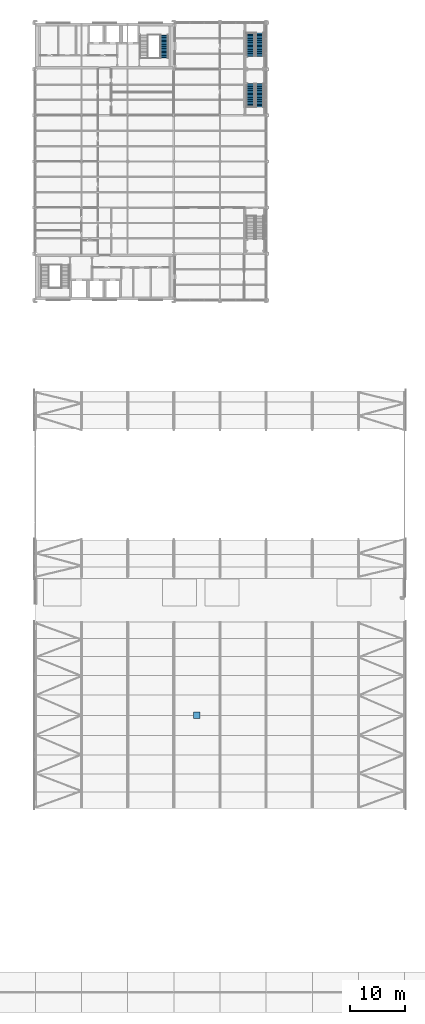
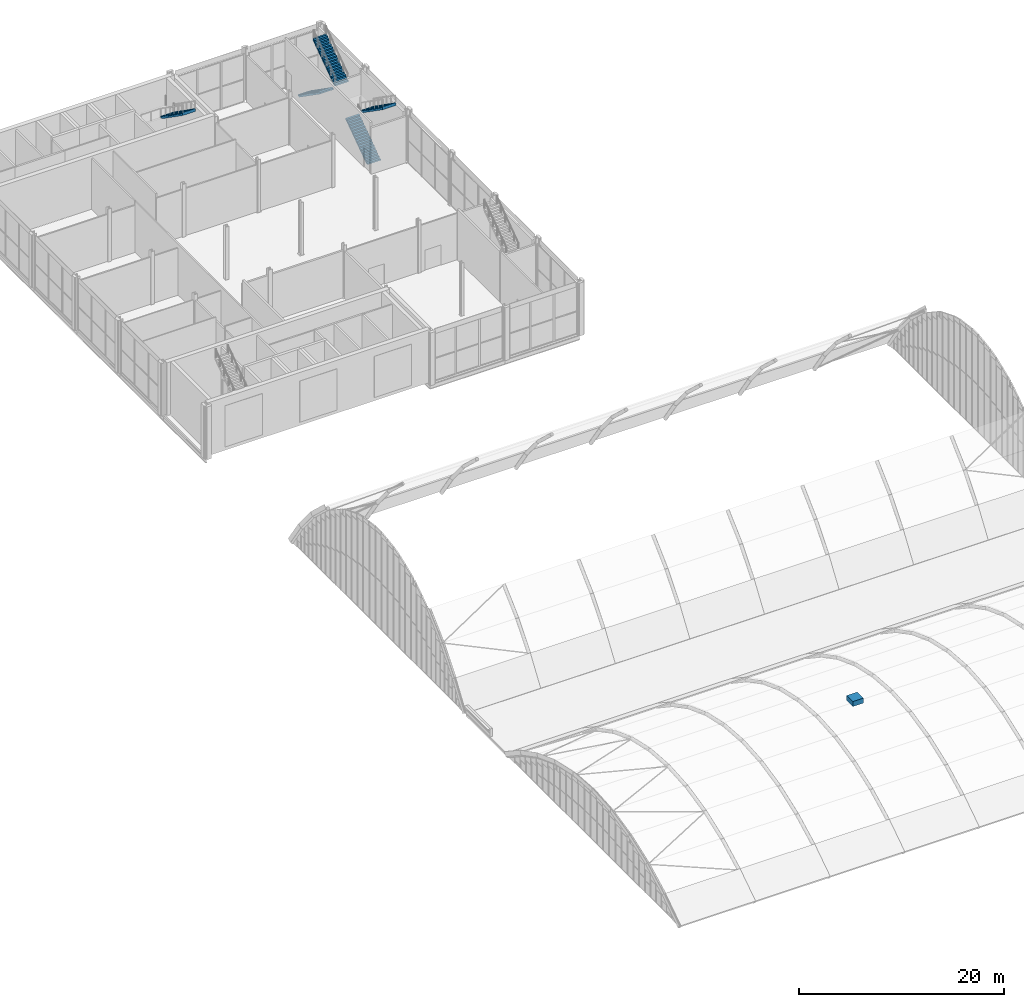
# One storey, part 69 of 77: 5 stair flights, 1 chimney, 3 elements without a shape of their own.
"""IFC4 building model written with IfcOpenShell, lengths in metres."""

from ifc_helpers import new_model, si_unit, direction, frame, origin, origin_2d, place, context, subcontext, project, spatial, polyline, rectangle, outline, extrude, material, type_object, element, aggregate, save


model = new_model("IFC4")

# Units and contexts
model_context = context("Model", 3, precision=1e-05, world=origin(), true_north=direction((0.0, 1.0)))
body_context = subcontext(model_context, "Body", "Model", "MODEL_VIEW")
ifc_project = project(units=[si_unit("LENGTHUNIT", "METRE"), si_unit("AREAUNIT", "SQUARE_METRE"), si_unit("VOLUMEUNIT", "CUBIC_METRE"), si_unit("PLANEANGLEUNIT", "RADIAN"), si_unit("MASSUNIT", "GRAM", prefix="KILO")], contexts=[model_context])

# Site, building, storey
site_placement = place(None, origin())
site = spatial("IfcSite", under=ifc_project, at=site_placement, CompositionType="ELEMENT")
building_placement = place(site_placement, origin())
building = spatial("IfcBuilding", under=site, at=building_placement, Name="Catenary Quay Ferry Terminal", CompositionType="ELEMENT")
storey_placement = place(building_placement, frame((0.0, 0.0, 10.800048828125)))
storey = spatial("IfcBuildingStorey", under=building, at=storey_placement, Name="L02", CompositionType="ELEMENT", Elevation=10.800048828125)

# Stair, stair flight
ifc_material_1 = material(Name="Concrete C35/45", Category="concrete")
stair_type = type_object("IfcStairType", Name="STX1500", PredefinedType="HALF_TURN_STAIR", material=ifc_material_1)
stair_1_placement = place(storey_placement, origin())
stair_1 = element("IfcStair", 1, at=stair_1_placement, inside=storey, type_object=stair_type, Name="Stair HS1 L02 to L03", PredefinedType="HALF_TURN_STAIR")
ifc_material_2 = material(Name="Concrete C35/45", Category="concrete")
stair_flight_type = type_object("IfcStairFlightType", Name="SFX1500", PredefinedType="STRAIGHT", material=ifc_material_2)
stair_flight_1_placement = place(storey_placement, frame((48.64990234375, 207.85009765625, 3.14990234375), z_axis=(0.0, 0.0, 1.0), x_axis=(0.0, -1.0, 0.0)))
stair_flight_1 = element("IfcStairFlight", 2, at=stair_flight_1_placement, type_object=stair_flight_type, Name="HS1-L02 flight 2", NumberOfRisers=18, NumberOfTreads=17, PredefinedType="STRAIGHT", RiserHeight=0.175, TreadLength=0.25, context=body_context, shape_type="SweptSolid", body=[
    extrude(outline(polyline([(0.0, 0.0), (0.0, 0.02490234375), (0.0, 0.050048828125), (0.0, 0.074951171875), (0.0, 0.10009765625), (0.0, 0.125), (0.0, 0.14990234375), (0.0, 0.175048828125), (0.25, 0.175048828125), (0.25, 0.35009765625), (0.5, 0.35009765625), (0.5, 0.52490234375), (0.75, 0.52490234375), (0.75, 0.699951171875), (1.0, 0.699951171875), (1.0, 0.875), (1.25, 0.875), (1.25, 1.050048828125), (1.5, 1.050048828125), (1.5, 1.22509765625), (1.75, 1.22509765625), (1.75, 1.39990234375), (2.0, 1.39990234375), (2.0, 1.574951171875), (2.25, 1.574951171875), (2.25, 1.75), (2.5, 1.75), (2.5, 1.925048828125), (2.75, 1.925048828125), (2.75, 2.10009765625), (3.0, 2.10009765625), (3.0, 2.27490234375), (3.25, 2.27490234375), (3.25, 2.449951171875), (3.5, 2.449951171875), (3.5, 2.625), (3.75, 2.625), (3.75, 2.800048828125), (4.0, 2.800048828125), (4.0, 2.97509765625), (4.25, 2.97509765625), (4.25, 3.14990234375), (4.260009765625, 3.14990234375), (4.260009765625, 3.098876953125), (4.260009765625, 3.047607421875), (4.260009765625, 2.99658203125), (4.260009765625, 2.945556640625), (4.260009765625, 2.894287109375), (4.260009765625, 2.84326171875), (4.260009765625, 2.7919921875), (0.261474609375, 0.0), (0.0, 0.0)])), frame((0.0, 0.75, 0.0), z_axis=(0.0, -1.0, 0.0), x_axis=(1.0, 0.0, 0.0)), (0.0, 0.0, 1.0), 1.5),
])
aggregate(stair_1, [stair_flight_1])

# Stair, stair flights
stair_2_placement = place(storey_placement, origin())
stair_2 = element("IfcStair", 3, at=stair_2_placement, inside=storey, type_object=stair_type, Name="Stair HS4 L02 to L03", PredefinedType="HALF_TURN_STAIR")
stair_flight_2_placement = place(storey_placement, frame((64.35009765625, 194.699951171875, 0.0), z_axis=(0.0, 0.0, 1.0), x_axis=(0.0, 1.0, 0.0)))
stair_flight_2 = element("IfcStairFlight", 4, at=stair_flight_2_placement, type_object=stair_flight_type, Name="HS4-L02 flight 1", NumberOfRisers=18, NumberOfTreads=17, PredefinedType="STRAIGHT", RiserHeight=0.175, TreadLength=0.25, context=body_context, shape_type="SweptSolid", body=[
    extrude(outline(polyline([(-0.010009765625, 0.0), (-0.010009765625, 0.02490234375), (-0.010009765625, 0.050048828125), (-0.010009765625, 0.074951171875), (-0.010009765625, 0.10009765625), (-0.010009765625, 0.125), (-0.010009765625, 0.14990234375), (-0.010009765625, 0.175048828125), (0.0, 0.175048828125), (0.25, 0.175048828125), (0.25, 0.35009765625), (0.5, 0.35009765625), (0.5, 0.52490234375), (0.75, 0.52490234375), (0.75, 0.699951171875), (1.0, 0.699951171875), (1.0, 0.875), (1.25, 0.875), (1.25, 1.050048828125), (1.5, 1.050048828125), (1.5, 1.22509765625), (1.75, 1.22509765625), (1.75, 1.39990234375), (2.0, 1.39990234375), (2.0, 1.574951171875), (2.25, 1.574951171875), (2.25, 1.75), (2.5, 1.75), (2.5, 1.925048828125), (2.75, 1.925048828125), (2.75, 2.10009765625), (3.0, 2.10009765625), (3.0, 2.27490234375), (3.25, 2.27490234375), (3.25, 2.449951171875), (3.5, 2.449951171875), (3.5, 2.625), (3.75, 2.625), (3.75, 2.800048828125), (4.0, 2.800048828125), (4.0, 2.97509765625), (4.25, 2.97509765625), (4.25, 3.14990234375), (4.25, 3.098876953125), (4.25, 3.047607421875), (4.25, 2.99658203125), (4.25, 2.945556640625), (4.25, 2.894287109375), (4.25, 2.84326171875), (4.25, 2.7919921875), (0.261474609375, 0.0), (-0.010009765625, 0.0)])), frame((0.0, 0.75, 0.0), z_axis=(0.0, -1.0, 0.0), x_axis=(1.0, 0.0, 0.0)), (0.0, 0.0, 1.0), 1.5),
])
stair_flight_3_placement = place(storey_placement, frame((66.050048828125, 198.949951171875, 3.14990234375), z_axis=(0.0, 0.0, 1.0), x_axis=(0.0, -1.0, 0.0)))
stair_flight_3 = element("IfcStairFlight", 5, at=stair_flight_3_placement, type_object=stair_flight_type, Name="HS4-L02 flight 2", NumberOfRisers=18, NumberOfTreads=17, PredefinedType="STRAIGHT", RiserHeight=0.175, TreadLength=0.25, context=body_context, shape_type="SweptSolid", body=[
    extrude(outline(polyline([(0.0, 0.0), (0.0, 0.02490234375), (0.0, 0.050048828125), (0.0, 0.074951171875), (0.0, 0.10009765625), (0.0, 0.125), (0.0, 0.14990234375), (0.0, 0.175048828125), (0.25, 0.175048828125), (0.25, 0.35009765625), (0.5, 0.35009765625), (0.5, 0.52490234375), (0.75, 0.52490234375), (0.75, 0.699951171875), (1.0, 0.699951171875), (1.0, 0.875), (1.25, 0.875), (1.25, 1.050048828125), (1.5, 1.050048828125), (1.5, 1.22509765625), (1.75, 1.22509765625), (1.75, 1.39990234375), (2.0, 1.39990234375), (2.0, 1.574951171875), (2.25, 1.574951171875), (2.25, 1.75), (2.5, 1.75), (2.5, 1.925048828125), (2.75, 1.925048828125), (2.75, 2.10009765625), (3.0, 2.10009765625), (3.0, 2.27490234375), (3.25, 2.27490234375), (3.25, 2.449951171875), (3.5, 2.449951171875), (3.5, 2.625), (3.75, 2.625), (3.75, 2.800048828125), (4.0, 2.800048828125), (4.0, 2.97509765625), (4.25, 2.97509765625), (4.25, 3.14990234375), (4.260009765625, 3.14990234375), (4.260009765625, 3.098876953125), (4.260009765625, 3.047607421875), (4.260009765625, 2.99658203125), (4.260009765625, 2.945556640625), (4.260009765625, 2.894287109375), (4.260009765625, 2.84326171875), (4.260009765625, 2.7919921875), (0.261474609375, 0.0), (0.0, 0.0)])), frame((0.0, 0.75, 0.0), z_axis=(0.0, -1.0, 0.0), x_axis=(1.0, 0.0, 0.0)), (0.0, 0.0, 1.0), 1.5),
])
aggregate(stair_2, [stair_flight_2, stair_flight_3])

stair_3_placement = place(storey_placement, origin())
stair_3 = element("IfcStair", 6, at=stair_3_placement, inside=storey, type_object=stair_type, Name="Stair HS5 L02 to L03", PredefinedType="HALF_TURN_STAIR")
stair_flight_4_placement = place(storey_placement, frame((64.35009765625, 208.199951171875, 0.0), z_axis=(0.0, 0.0, 1.0), x_axis=(0.0, -1.0, 0.0)))
stair_flight_4 = element("IfcStairFlight", 7, at=stair_flight_4_placement, type_object=stair_flight_type, Name="HS5-L02 flight 1", NumberOfRisers=18, NumberOfTreads=17, PredefinedType="STRAIGHT", RiserHeight=0.175, TreadLength=0.25, context=body_context, shape_type="SweptSolid", body=[
    extrude(outline(polyline([(-0.010009765625, 0.0), (-0.010009765625, 0.02490234375), (-0.010009765625, 0.050048828125), (-0.010009765625, 0.074951171875), (-0.010009765625, 0.10009765625), (-0.010009765625, 0.125), (-0.010009765625, 0.14990234375), (-0.010009765625, 0.175048828125), (0.0, 0.175048828125), (0.25, 0.175048828125), (0.25, 0.35009765625), (0.5, 0.35009765625), (0.5, 0.52490234375), (0.75, 0.52490234375), (0.75, 0.699951171875), (1.0, 0.699951171875), (1.0, 0.875), (1.25, 0.875), (1.25, 1.050048828125), (1.5, 1.050048828125), (1.5, 1.22509765625), (1.75, 1.22509765625), (1.75, 1.39990234375), (2.0, 1.39990234375), (2.0, 1.574951171875), (2.25, 1.574951171875), (2.25, 1.75), (2.5, 1.75), (2.5, 1.925048828125), (2.75, 1.925048828125), (2.75, 2.10009765625), (3.0, 2.10009765625), (3.0, 2.27490234375), (3.25, 2.27490234375), (3.25, 2.449951171875), (3.5, 2.449951171875), (3.5, 2.625), (3.75, 2.625), (3.75, 2.800048828125), (4.0, 2.800048828125), (4.0, 2.97509765625), (4.25, 2.97509765625), (4.25, 3.14990234375), (4.25, 3.098876953125), (4.25, 3.047607421875), (4.25, 2.99658203125), (4.25, 2.945556640625), (4.25, 2.894287109375), (4.25, 2.84326171875), (4.25, 2.7919921875), (0.261474609375, 0.0), (-0.010009765625, 0.0)])), frame((0.0, 0.75, 0.0), z_axis=(0.0, -1.0, 0.0), x_axis=(1.0, 0.0, 0.0)), (0.0, 0.0, 1.0), 1.5),
])
stair_flight_5_placement = place(storey_placement, frame((66.050048828125, 203.949951171875, 3.14990234375), z_axis=(0.0, 0.0, 1.0), x_axis=(0.0, 1.0, 0.0)))
stair_flight_5 = element("IfcStairFlight", 8, at=stair_flight_5_placement, type_object=stair_flight_type, Name="HS5-L02 flight 2", NumberOfRisers=18, NumberOfTreads=17, PredefinedType="STRAIGHT", RiserHeight=0.175, TreadLength=0.25, context=body_context, shape_type="SweptSolid", body=[
    extrude(outline(polyline([(0.0, 0.0), (0.0, 0.02490234375), (0.0, 0.050048828125), (0.0, 0.074951171875), (0.0, 0.10009765625), (0.0, 0.125), (0.0, 0.14990234375), (0.0, 0.175048828125), (0.25, 0.175048828125), (0.25, 0.35009765625), (0.5, 0.35009765625), (0.5, 0.52490234375), (0.75, 0.52490234375), (0.75, 0.699951171875), (1.0, 0.699951171875), (1.0, 0.875), (1.25, 0.875), (1.25, 1.050048828125), (1.5, 1.050048828125), (1.5, 1.22509765625), (1.75, 1.22509765625), (1.75, 1.39990234375), (2.0, 1.39990234375), (2.0, 1.574951171875), (2.25, 1.574951171875), (2.25, 1.75), (2.5, 1.75), (2.5, 1.925048828125), (2.75, 1.925048828125), (2.75, 2.10009765625), (3.0, 2.10009765625), (3.0, 2.27490234375), (3.25, 2.27490234375), (3.25, 2.449951171875), (3.5, 2.449951171875), (3.5, 2.625), (3.75, 2.625), (3.75, 2.800048828125), (4.0, 2.800048828125), (4.0, 2.97509765625), (4.25, 2.97509765625), (4.25, 3.14990234375), (4.260009765625, 3.14990234375), (4.260009765625, 3.098876953125), (4.260009765625, 3.047607421875), (4.260009765625, 2.99658203125), (4.260009765625, 2.945556640625), (4.260009765625, 2.894287109375), (4.260009765625, 2.84326171875), (4.260009765625, 2.7919921875), (0.261474609375, 0.0), (0.0, 0.0)])), frame((0.0, 0.75, 0.0), z_axis=(0.0, -1.0, 0.0), x_axis=(1.0, 0.0, 0.0)), (0.0, 0.0, 1.0), 1.5),
])
aggregate(stair_3, [stair_flight_4, stair_flight_5])

# Chimney
ifc_material_3 = material(Name="Ceramic tile")
chimney_type = type_object("IfcChimneyType", Name="SV1", PredefinedType="NOTDEFINED", material=ifc_material_3)
chimney_placement = place(storey_placement, frame((54.60009765625, 84.0, 6.322998046875), z_axis=(0.0, 0.0, 1.0), x_axis=(1.0, 0.0, 0.0)))
element("IfcChimney", 9, at=chimney_placement, inside=storey, type_object=chimney_type, Name="Smoke vent", PredefinedType="NOTDEFINED", context=body_context, shape_type="SweptSolid", body=[
    extrude(rectangle(XDim=1.199951171875, YDim=1.199951171875, at=origin_2d()), origin(), (0.0, 0.0, 1.0), 0.60009765625),
])

save(model, "model.ifc")
